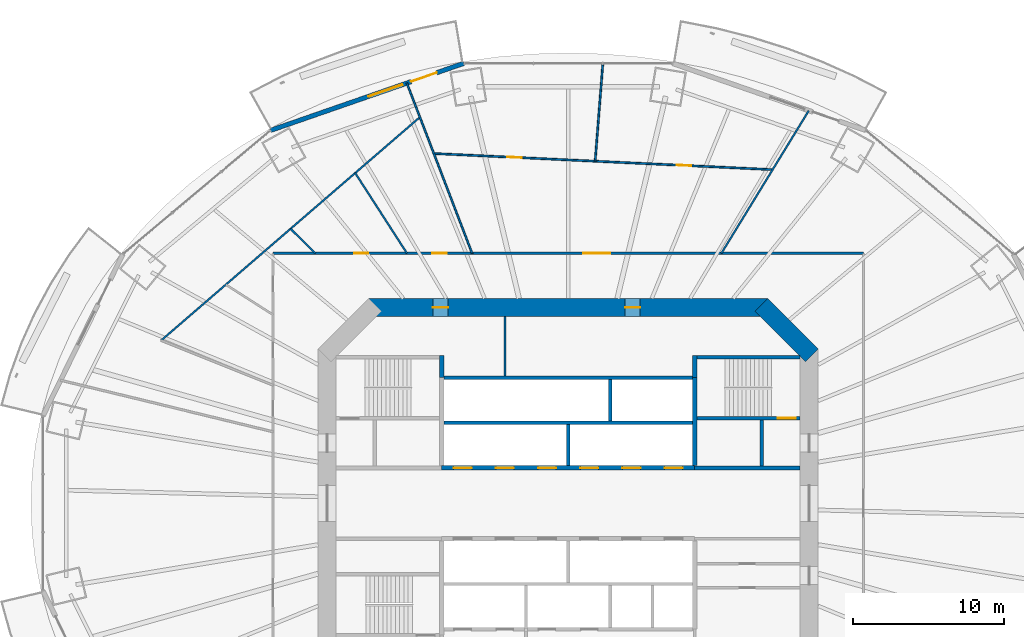
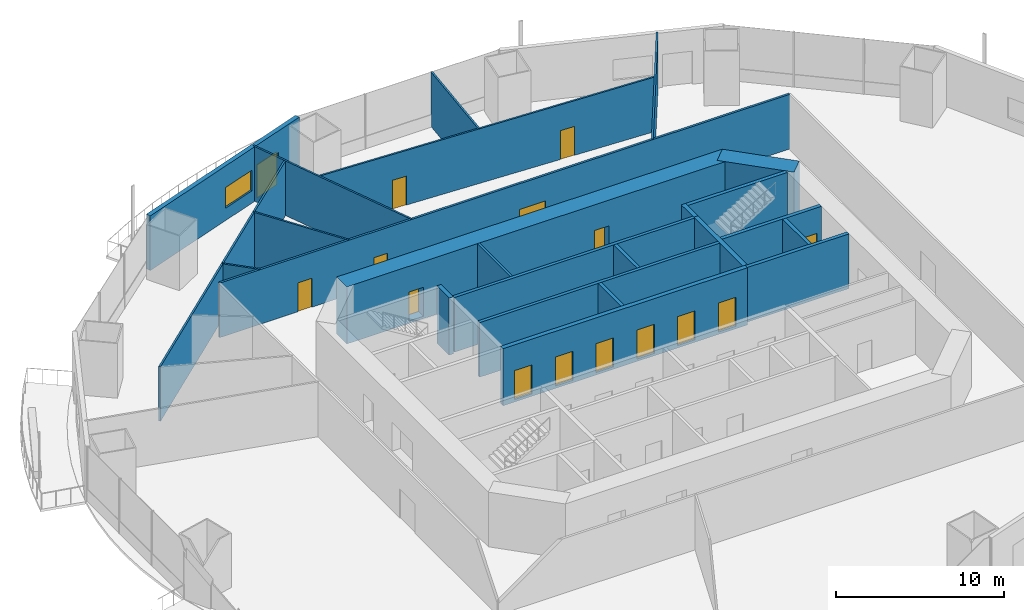
# One storey, part 15 of 22: 24 walls, 15 doors, 1 window, 16 openings.
"""IFC4 building model written with IfcOpenShell, lengths in metres."""

from ifc_helpers import new_model, si_unit, direction, frame, frame_2d, origin, place, context, subcontext, project, spatial, rectangle, extrude, material, layer, layer_set, type_object, element, fill, save


model = new_model("IFC4")

# Units and contexts
model_context = context("Model", 3, precision=1e-05, world=origin(), true_north=direction((0.0, 1.0)))
body_context = subcontext(model_context, "Body", "Model", "MODEL_VIEW")
ifc_project = project(units=[si_unit("LENGTHUNIT", "METRE"), si_unit("AREAUNIT", "SQUARE_METRE"), si_unit("VOLUMEUNIT", "CUBIC_METRE"), si_unit("PLANEANGLEUNIT", "RADIAN"), si_unit("MASSUNIT", "GRAM", prefix="KILO")], contexts=[model_context])

# Site, building, storey
site_placement = place(None, origin())
site = spatial("IfcSite", under=ifc_project, at=site_placement, CompositionType="ELEMENT")
building_placement = place(site_placement, origin())
building = spatial("IfcBuilding", under=site, at=building_placement, Name="Marenthal Gate Tower", CompositionType="ELEMENT")
storey_placement = place(building_placement, frame((0.0, 0.0, 78.64990234375)))
storey = spatial("IfcBuildingStorey", under=building, at=storey_placement, Name="L15", CompositionType="ELEMENT", Elevation=78.64990234375)

# Wall
ifc_material_1 = material(Name="Concrete 60 MPa", Category="concrete")
ifc_layer_1 = layer(ifc_material_1, 1.199951171875)
ifc_layer_set_1 = layer_set([ifc_layer_1], Name="Core shear wall 1200")
wall_type_1 = type_object("IfcWallType", Name="Core shear wall 1200", PredefinedType="SHEAR", material=ifc_layer_set_1)
wall_1_placement = place(storey_placement, frame((16.17578125, 9.82421875, -0.179931640625), z_axis=(0.0, 0.0, 1.0), x_axis=(-0.707106781187, 0.707106781187, 0.0)))
element("IfcWall", 1, at=wall_1_placement, inside=storey, type_object=wall_type_1, Name="Core wall 03", PredefinedType="SHEAR", context=body_context, shape_type="SweptSolid", body=[
    extrude(rectangle(XDim=4.73974609375, YDim=1.199951171875, at=frame_2d((2.369873046875, 0.0))), origin(), (0.0, 0.0, 1.0), 4.150146484375),
])

# Wall, openings, doors
wall_2_placement = place(storey_placement, frame((13.24853515625, 13.0, -0.179931640625), z_axis=(0.0, 0.0, 1.0), x_axis=(-1.0, 0.0, 0.0)))
wall_2 = element("IfcWall", 2, at=wall_2_placement, inside=storey, type_object=wall_type_1, Name="Core wall 04", PredefinedType="SHEAR", context=body_context, shape_type="SweptSolid", body=[
    extrude(rectangle(XDim=26.4970703125, YDim=1.199951171875, at=frame_2d((13.24853515625, 0.0))), origin(), (0.0, 0.0, 1.0), 4.150146484375),
])
opening_1_placement = place(wall_2_placement, frame((21.224609375, 0.0, 0.179931640625)))
opening_1 = element("IfcOpeningElement", 3, at=opening_1_placement, cuts=wall_2, Name="Opening D005.01", PredefinedType="OPENING", context=body_context, shape_type="SweptSolid", body=[
    extrude(rectangle(XDim=1.0, YDim=2.10009765625, at=frame_2d((0.5, 1.050048828125))), frame((0.0, 0.60986328125, 0.0), z_axis=(0.0, -1.0, 0.0), x_axis=(1.0, 0.0, 0.0)), (0.0, 0.0, 1.0), 1.219970703125),
])
opening_2_placement = place(wall_2_placement, frame((8.472412109375, 0.0, 0.179931640625)))
opening_2 = element("IfcOpeningElement", 4, at=opening_2_placement, cuts=wall_2, Name="Opening D005.02", PredefinedType="OPENING", context=body_context, shape_type="SweptSolid", body=[
    extrude(rectangle(XDim=1.0, YDim=2.10009765625, at=frame_2d((0.5, 1.050048828125))), frame((0.0, 0.60986328125, 0.0), z_axis=(0.0, -1.0, 0.0), x_axis=(1.0, 0.0, 0.0)), (0.0, 0.0, 1.0), 1.219970703125),
])
ifc_material_2 = material(Name="Steel fire door", Category="steel")
door_type_1 = type_object("IfcDoorType", Name="Fire door FD 45 1000 x 2100", OperationType="NOTDEFINED", PredefinedType="DOOR", material=ifc_material_2)
door_1_placement = place(opening_1_placement, origin())
door_1 = element("IfcDoor", 5, at=door_1_placement, inside=storey, type_object=door_type_1, Name="Door D005.01", OperationType="SINGLE_SWING_RIGHT", OverallHeight=2.10009765625, OverallWidth=1.0, PredefinedType="DOOR", context=body_context, shape_type="SweptSolid", body=[
    extrude(rectangle(XDim=1.0, YDim=2.10009765625, at=frame_2d((0.5, 1.050048828125))), frame((0.0, 0.02490234375, 0.0), z_axis=(0.0, -1.0, 0.0), x_axis=(1.0, 0.0, 0.0)), (0.0, 0.0, 1.0), 0.050048828125),
])
fill(opening_1, door_1)
door_2_placement = place(opening_2_placement, origin())
door_2 = element("IfcDoor", 6, at=door_2_placement, inside=storey, type_object=door_type_1, Name="Door D005.02", OperationType="SINGLE_SWING_RIGHT", OverallHeight=2.10009765625, OverallWidth=1.0, PredefinedType="DOOR", context=body_context, shape_type="SweptSolid", body=[
    extrude(rectangle(XDim=1.0, YDim=2.10009765625, at=frame_2d((0.5, 1.050048828125))), frame((0.0, 0.02490234375, 0.0), z_axis=(0.0, -1.0, 0.0), x_axis=(1.0, 0.0, 0.0)), (0.0, 0.0, 1.0), 0.050048828125),
])
fill(opening_2, door_2)

ifc_material_3 = material(Name="Concrete 50 MPa", Category="concrete")
ifc_layer_2 = layer(ifc_material_3, 0.300048828125)
ifc_layer_set_2 = layer_set([ifc_layer_2], Name="Hoistway shear wall 300")
wall_type_2 = type_object("IfcWallType", Name="Hoistway shear wall 300", PredefinedType="SHEAR", material=ifc_layer_set_2)
wall_3_placement = place(storey_placement, frame((-8.39990234375, 2.35009765625, -0.179931640625), z_axis=(0.0, 0.0, 1.0), x_axis=(1.0, 0.0, 0.0)))
wall_3 = element("IfcWall", 7, at=wall_3_placement, inside=storey, type_object=wall_type_2, Name="Hoistway wall 20", PredefinedType="SHEAR", context=body_context, shape_type="SweptSolid", body=[
    extrude(rectangle(XDim=16.7998046875, YDim=0.300048828125, at=frame_2d((8.39990234375, 0.0))), origin(), (0.0, 0.0, 1.0), 4.150146484375),
])
opening_3_placement = place(wall_3_placement, frame((0.800048828125, 0.0, 0.179931640625)))
opening_3 = element("IfcOpeningElement", 8, at=opening_3_placement, cuts=wall_3, Name="Opening LD-LP1", PredefinedType="OPENING", context=body_context, shape_type="SweptSolid", body=[
    extrude(rectangle(XDim=1.199951171875, YDim=2.10009765625, at=frame_2d((0.60009765625, 1.050048828125))), frame((0.0, 0.16015625, 0.0), z_axis=(0.0, -1.0, 0.0), x_axis=(1.0, 0.0, 0.0)), (0.0, 0.0, 1.0), 0.320068359375),
])
opening_4_placement = place(wall_3_placement, frame((3.60009765625, 0.0, 0.179931640625)))
opening_4 = element("IfcOpeningElement", 9, at=opening_4_placement, cuts=wall_3, Name="Opening LD-LP2", PredefinedType="OPENING", context=body_context, shape_type="SweptSolid", body=[
    extrude(rectangle(XDim=1.199951171875, YDim=2.10009765625, at=frame_2d((0.60009765625, 1.050048828125))), frame((0.0, 0.16015625, 0.0), z_axis=(0.0, -1.0, 0.0), x_axis=(1.0, 0.0, 0.0)), (0.0, 0.0, 1.0), 0.320068359375),
])
opening_5_placement = place(wall_3_placement, frame((6.39990234375, 0.0, 0.179931640625)))
opening_5 = element("IfcOpeningElement", 10, at=opening_5_placement, cuts=wall_3, Name="Opening LD-LP3", PredefinedType="OPENING", context=body_context, shape_type="SweptSolid", body=[
    extrude(rectangle(XDim=1.199951171875, YDim=2.10009765625, at=frame_2d((0.60009765625, 1.050048828125))), frame((0.0, 0.16015625, 0.0), z_axis=(0.0, -1.0, 0.0), x_axis=(1.0, 0.0, 0.0)), (0.0, 0.0, 1.0), 0.320068359375),
])
opening_6_placement = place(wall_3_placement, frame((9.199951171875, 0.0, 0.179931640625)))
opening_6 = element("IfcOpeningElement", 11, at=opening_6_placement, cuts=wall_3, Name="Opening LD-LP4", PredefinedType="OPENING", context=body_context, shape_type="SweptSolid", body=[
    extrude(rectangle(XDim=1.199951171875, YDim=2.10009765625, at=frame_2d((0.60009765625, 1.050048828125))), frame((0.0, 0.16015625, 0.0), z_axis=(0.0, -1.0, 0.0), x_axis=(1.0, 0.0, 0.0)), (0.0, 0.0, 1.0), 0.320068359375),
])
opening_7_placement = place(wall_3_placement, frame((12.0, 0.0, 0.179931640625)))
opening_7 = element("IfcOpeningElement", 12, at=opening_7_placement, cuts=wall_3, Name="Opening LD-LP5", PredefinedType="OPENING", context=body_context, shape_type="SweptSolid", body=[
    extrude(rectangle(XDim=1.199951171875, YDim=2.10009765625, at=frame_2d((0.60009765625, 1.050048828125))), frame((0.0, 0.16015625, 0.0), z_axis=(0.0, -1.0, 0.0), x_axis=(1.0, 0.0, 0.0)), (0.0, 0.0, 1.0), 0.320068359375),
])
opening_8_placement = place(wall_3_placement, frame((14.800048828125, 0.0, 0.179931640625)))
opening_8 = element("IfcOpeningElement", 13, at=opening_8_placement, cuts=wall_3, Name="Opening LD-LP6", PredefinedType="OPENING", context=body_context, shape_type="SweptSolid", body=[
    extrude(rectangle(XDim=1.199951171875, YDim=2.10009765625, at=frame_2d((0.60009765625, 1.050048828125))), frame((0.0, 0.16015625, 0.0), z_axis=(0.0, -1.0, 0.0), x_axis=(1.0, 0.0, 0.0)), (0.0, 0.0, 1.0), 0.320068359375),
])
ifc_material_4 = material(Name="Stainless steel sliding door", Category="steel")
door_type_2 = type_object("IfcDoorType", Name="Lift landing door FD 90 1200 x 2100", OperationType="DOUBLE_DOOR_SLIDING", PredefinedType="DOOR", material=ifc_material_4)
door_3_placement = place(opening_3_placement, origin())
door_3 = element("IfcDoor", 14, at=door_3_placement, inside=storey, type_object=door_type_2, Name="Lift landing door LP1", OperationType="DOUBLE_DOOR_SLIDING", OverallHeight=2.10009765625, OverallWidth=1.199951171875, PredefinedType="DOOR", context=body_context, shape_type="SweptSolid", body=[
    extrude(rectangle(XDim=1.199951171875, YDim=2.10009765625, at=frame_2d((0.60009765625, 1.050048828125))), frame((0.0, 0.02490234375, 0.0), z_axis=(0.0, -1.0, 0.0), x_axis=(1.0, 0.0, 0.0)), (0.0, 0.0, 1.0), 0.050048828125),
])
fill(opening_3, door_3)
door_4_placement = place(opening_4_placement, origin())
door_4 = element("IfcDoor", 15, at=door_4_placement, inside=storey, type_object=door_type_2, Name="Lift landing door LP2", OperationType="DOUBLE_DOOR_SLIDING", OverallHeight=2.10009765625, OverallWidth=1.199951171875, PredefinedType="DOOR", context=body_context, shape_type="SweptSolid", body=[
    extrude(rectangle(XDim=1.199951171875, YDim=2.10009765625, at=frame_2d((0.60009765625, 1.050048828125))), frame((0.0, 0.02490234375, 0.0), z_axis=(0.0, -1.0, 0.0), x_axis=(1.0, 0.0, 0.0)), (0.0, 0.0, 1.0), 0.050048828125),
])
fill(opening_4, door_4)
door_5_placement = place(opening_5_placement, origin())
door_5 = element("IfcDoor", 16, at=door_5_placement, inside=storey, type_object=door_type_2, Name="Lift landing door LP3", OperationType="DOUBLE_DOOR_SLIDING", OverallHeight=2.10009765625, OverallWidth=1.199951171875, PredefinedType="DOOR", context=body_context, shape_type="SweptSolid", body=[
    extrude(rectangle(XDim=1.199951171875, YDim=2.10009765625, at=frame_2d((0.60009765625, 1.050048828125))), frame((0.0, 0.02490234375, 0.0), z_axis=(0.0, -1.0, 0.0), x_axis=(1.0, 0.0, 0.0)), (0.0, 0.0, 1.0), 0.050048828125),
])
fill(opening_5, door_5)
door_6_placement = place(opening_6_placement, origin())
door_6 = element("IfcDoor", 17, at=door_6_placement, inside=storey, type_object=door_type_2, Name="Lift landing door LP4", OperationType="DOUBLE_DOOR_SLIDING", OverallHeight=2.10009765625, OverallWidth=1.199951171875, PredefinedType="DOOR", context=body_context, shape_type="SweptSolid", body=[
    extrude(rectangle(XDim=1.199951171875, YDim=2.10009765625, at=frame_2d((0.60009765625, 1.050048828125))), frame((0.0, 0.02490234375, 0.0), z_axis=(0.0, -1.0, 0.0), x_axis=(1.0, 0.0, 0.0)), (0.0, 0.0, 1.0), 0.050048828125),
])
fill(opening_6, door_6)
door_7_placement = place(opening_7_placement, origin())
door_7 = element("IfcDoor", 18, at=door_7_placement, inside=storey, type_object=door_type_2, Name="Lift landing door LP5", OperationType="DOUBLE_DOOR_SLIDING", OverallHeight=2.10009765625, OverallWidth=1.199951171875, PredefinedType="DOOR", context=body_context, shape_type="SweptSolid", body=[
    extrude(rectangle(XDim=1.199951171875, YDim=2.10009765625, at=frame_2d((0.60009765625, 1.050048828125))), frame((0.0, 0.02490234375, 0.0), z_axis=(0.0, -1.0, 0.0), x_axis=(1.0, 0.0, 0.0)), (0.0, 0.0, 1.0), 0.050048828125),
])
fill(opening_7, door_7)
door_8_placement = place(opening_8_placement, origin())
door_8 = element("IfcDoor", 19, at=door_8_placement, inside=storey, type_object=door_type_2, Name="Lift landing door LP6", OperationType="DOUBLE_DOOR_SLIDING", OverallHeight=2.10009765625, OverallWidth=1.199951171875, PredefinedType="DOOR", context=body_context, shape_type="SweptSolid", body=[
    extrude(rectangle(XDim=1.199951171875, YDim=2.10009765625, at=frame_2d((0.60009765625, 1.050048828125))), frame((0.0, 0.02490234375, 0.0), z_axis=(0.0, -1.0, 0.0), x_axis=(1.0, 0.0, 0.0)), (0.0, 0.0, 1.0), 0.050048828125),
])
fill(opening_8, door_8)

# Walls
wall_4_placement = place(storey_placement, frame((8.39990234375, 2.5, -0.179931640625), z_axis=(0.0, 0.0, 1.0), x_axis=(0.0, 1.0, 0.0)))
element("IfcWall", 20, at=wall_4_placement, inside=storey, type_object=wall_type_2, Name="Hoistway wall 44", PredefinedType="SHEAR", context=body_context, shape_type="SweptSolid", body=[
    extrude(rectangle(XDim=5.85009765625, YDim=0.300048828125, at=frame_2d((2.925048828125, 0.0))), origin(), (0.0, 0.0, 1.0), 4.150146484375),
])
ifc_material_5 = material(Name="Concrete 40 MPa", Category="concrete")
ifc_layer_3 = layer(ifc_material_5, 0.219970703125)
ifc_layer_set_3 = layer_set([ifc_layer_3], Name="Hoistway wall 220")
wall_type_3 = type_object("IfcWallType", Name="Hoistway wall 220", PredefinedType="STANDARD", material=ifc_layer_set_3)
for number, where, z_axis, x_axis, name in (
    (21, (-8.25, 5.35009765625, 0.0), (0.0, 0.0, 1.0), (1.0, 0.0, 0.0), "Hoistway wall 22"),
    (22, (-8.25, 8.35009765625, 0.0), (0.0, 0.0, 1.0), (1.0, 0.0, 0.0), "Hoistway wall 25"),
):
    element("IfcWall", number, at=place(storey_placement, frame(where, z_axis=z_axis, x_axis=x_axis)), inside=storey, type_object=wall_type_3, Name=name, PredefinedType="STANDARD", context=body_context, shape_type="SweptSolid", body=[
        extrude(rectangle(XDim=16.5, YDim=0.219970703125, at=frame_2d((8.25, 0.0))), origin(), (0.0, 0.0, 1.0), 3.97021484375),
    ])
wall_5_placement = place(storey_placement, frame((0.0, 2.5, 0.0), z_axis=(0.0, 0.0, 1.0), x_axis=(0.0, 1.0, 0.0)))
element("IfcWall", 23, at=wall_5_placement, inside=storey, type_object=wall_type_3, Name="Hoistway wall 38", PredefinedType="STANDARD", context=body_context, shape_type="SweptSolid", body=[
    extrude(rectangle(XDim=2.739990234375, YDim=0.219970703125, at=frame_2d((1.3701171875, 0.0))), origin(), (0.0, 0.0, 1.0), 3.97021484375),
])
wall_6_placement = place(storey_placement, frame((2.800048828125, 5.4599609375, 0.0), z_axis=(0.0, 0.0, 1.0), x_axis=(0.0, 1.0, 0.0)))
element("IfcWall", 24, at=wall_6_placement, inside=storey, type_object=wall_type_3, Name="Hoistway wall 40", PredefinedType="STANDARD", context=body_context, shape_type="SweptSolid", body=[
    extrude(rectangle(XDim=2.780029296875, YDim=0.219970703125, at=frame_2d((1.39013671875, 0.0))), origin(), (0.0, 0.0, 1.0), 3.97021484375),
])
ifc_material_6 = material(Name="Gypsum board on steel studs", Category="steel")
ifc_layer_4 = layer(ifc_material_6, 0.1201171875)
ifc_layer_set_4 = layer_set([ifc_layer_4], Name="Partition 120")
wall_type_4 = type_object("IfcWallType", Name="Partition 120", PredefinedType="PARTITIONING", material=ifc_layer_set_4)
wall_7_placement = place(storey_placement, frame((-18.4345703125, 18.22900390625, 0.0), z_axis=(0.0, 0.0, 1.0), x_axis=(0.711099857719, -0.703091027074, 0.0)))
element("IfcWall", 25, at=wall_7_placement, inside=storey, type_object=wall_type_4, Name="Partition wall 52", PredefinedType="PARTITIONING", context=body_context, shape_type="SweptSolid", body=[
    extrude(rectangle(XDim=2.31689453125, YDim=0.1201171875, at=frame_2d((1.158447265625, 0.0))), origin(), (0.0, 0.0, 1.0), 3.97021484375),
])
wall_8_placement = place(storey_placement, frame((-14.140625, 21.93408203125, 0.0), z_axis=(0.0, 0.0, 1.0), x_axis=(0.541842063077, -0.840480326171, 0.0)))
element("IfcWall", 26, at=wall_8_placement, inside=storey, type_object=wall_type_4, Name="Partition wall 53", PredefinedType="PARTITIONING", context=body_context, shape_type="SweptSolid", body=[
    extrude(rectangle(XDim=6.346435546875, YDim=0.1201171875, at=frame_2d((3.17333984375, 0.0))), origin(), (0.0, 0.0, 1.0), 3.97021484375),
])
wall_9_placement = place(storey_placement, frame((-9.8466796875, 25.639404296875, 0.0), z_axis=(0.0, 0.0, 1.0), x_axis=(-0.757112580358, -0.653284425548, 0.0)))
element("IfcWall", 27, at=wall_9_placement, inside=storey, type_object=wall_type_4, Name="Partition wall 54", PredefinedType="PARTITIONING", context=body_context, shape_type="SweptSolid", body=[
    extrude(rectangle(XDim=22.686279296875, YDim=0.1201171875, at=frame_2d((11.34326171875, 0.0))), origin(), (0.0, 0.0, 1.0), 3.97021484375),
])
wall_10_placement = place(storey_placement, frame((-6.375, 16.60009765625, 0.0), z_axis=(0.0, 0.0, 1.0), x_axis=(-0.358534397195, 0.933516516205, 0.0)))
element("IfcWall", 28, at=wall_10_placement, inside=storey, type_object=wall_type_4, Name="Partition wall 55", PredefinedType="PARTITIONING", context=body_context, shape_type="SweptSolid", body=[
    extrude(rectangle(XDim=12.10498046875, YDim=0.1201171875, at=frame_2d((6.052490234375, 0.0))), origin(), (0.0, 0.0, 1.0), 3.97021484375),
])
wall_11_placement = place(storey_placement, frame((2.302001953125, 29.211669921875, 0.0), z_axis=(0.0, 0.0, 1.0), x_axis=(-0.078544698075, -0.996910592984, 0.0)))
element("IfcWall", 29, at=wall_11_placement, inside=storey, type_object=wall_type_4, Name="Partition wall 57", PredefinedType="PARTITIONING", context=body_context, shape_type="SweptSolid", body=[
    extrude(rectangle(XDim=6.514892578125, YDim=0.1201171875, at=frame_2d((3.25732421875, 0.0))), origin(), (0.0, 0.0, 1.0), 3.97021484375),
])
wall_12_placement = place(storey_placement, frame((10.168701171875, 16.60009765625, 0.0), z_axis=(0.0, 0.0, 1.0), x_axis=(0.522354417251, 0.852728481276, 0.0)))
element("IfcWall", 30, at=wall_12_placement, inside=storey, type_object=wall_type_4, Name="Partition wall 58", PredefinedType="PARTITIONING", context=body_context, shape_type="SweptSolid", body=[
    extrude(rectangle(XDim=11.112060546875, YDim=0.1201171875, at=frame_2d((5.55615234375, 0.0))), origin(), (0.0, 0.0, 1.0), 3.97021484375),
])

# Wall, openings, doors
wall_13_placement = place(storey_placement, frame((13.572265625, 22.15625, 0.0), z_axis=(0.0, 0.0, 1.0), x_axis=(-0.998870221803, 0.047521363561, 0.0)))
wall_13 = element("IfcWall", 31, at=wall_13_placement, inside=storey, type_object=wall_type_4, Name="Partition wall 59", PredefinedType="PARTITIONING", context=body_context, shape_type="SweptSolid", body=[
    extrude(rectangle(XDim=22.517578125, YDim=0.1201171875, at=frame_2d((11.2587890625, 0.0))), origin(), (0.0, 0.0, 1.0), 3.97021484375),
])
opening_9_placement = place(wall_13_placement, frame((5.423095703125, 0.0, 0.0)))
opening_9 = element("IfcOpeningElement", 32, at=opening_9_placement, cuts=wall_13, Name="Opening D016.01", PredefinedType="OPENING", context=body_context, shape_type="SweptSolid", body=[
    extrude(rectangle(XDim=0.949951171875, YDim=2.10009765625, at=frame_2d((0.47509765625, 1.050048828125))), frame((0.0, 0.070068359375, 0.0), z_axis=(0.0, -1.0, 0.0), x_axis=(1.0, 0.0, 0.0)), (0.0, 0.0, 1.0), 0.14013671875),
])
opening_10_placement = place(wall_13_placement, frame((16.681884765625, 0.0, 0.0)))
opening_10 = element("IfcOpeningElement", 33, at=opening_10_placement, cuts=wall_13, Name="Opening D016.02", PredefinedType="OPENING", context=body_context, shape_type="SweptSolid", body=[
    extrude(rectangle(XDim=0.949951171875, YDim=2.10009765625, at=frame_2d((0.47509765625, 1.050048828125))), frame((0.0, 0.070068359375, 0.0), z_axis=(0.0, -1.0, 0.0), x_axis=(1.0, 0.0, 0.0)), (0.0, 0.0, 1.0), 0.14013671875),
])
ifc_material_7 = material(Name="Timber door", Category="wood")
door_type_3 = type_object("IfcDoorType", Name="Door 950 x 2100", OperationType="NOTDEFINED", PredefinedType="DOOR", material=ifc_material_7)
door_9_placement = place(opening_9_placement, frame((0.949951171875, 0.0, 0.0), z_axis=(0.0, 0.0, 1.0), x_axis=(-1.0, 0.0, 0.0)))
door_9 = element("IfcDoor", 34, at=door_9_placement, inside=storey, type_object=door_type_3, Name="Door D016.01", OperationType="SINGLE_SWING_LEFT", OverallHeight=2.10009765625, OverallWidth=0.949951171875, PredefinedType="DOOR", context=body_context, shape_type="SweptSolid", body=[
    extrude(rectangle(XDim=0.949951171875, YDim=2.10009765625, at=frame_2d((0.47509765625, 1.050048828125))), frame((0.0, 0.02490234375, 0.0), z_axis=(0.0, -1.0, 0.0), x_axis=(1.0, 0.0, 0.0)), (0.0, 0.0, 1.0), 0.050048828125),
])
fill(opening_9, door_9)
door_10_placement = place(opening_10_placement, frame((0.949951171875, 0.0, 0.0), z_axis=(0.0, 0.0, 1.0), x_axis=(-1.0, 0.0, 0.0)))
door_10 = element("IfcDoor", 35, at=door_10_placement, inside=storey, type_object=door_type_3, Name="Door D016.02", OperationType="SINGLE_SWING_LEFT", OverallHeight=2.10009765625, OverallWidth=0.949951171875, PredefinedType="DOOR", context=body_context, shape_type="SweptSolid", body=[
    extrude(rectangle(XDim=0.949951171875, YDim=2.10009765625, at=frame_2d((0.47509765625, 1.050048828125))), frame((0.0, 0.02490234375, 0.0), z_axis=(0.0, -1.0, 0.0), x_axis=(1.0, 0.0, 0.0)), (0.0, 0.0, 1.0), 0.050048828125),
])
fill(opening_10, door_10)

# Wall
ifc_material_8 = material(Name="Gypsum board on steel studs", Category="steel")
ifc_layer_5 = layer(ifc_material_8, 0.14990234375)
ifc_layer_set_5 = layer_set([ifc_layer_5], Name="Partition 150")
wall_type_5 = type_object("IfcWallType", Name="Partition 150", PredefinedType="PARTITIONING", material=ifc_layer_set_5)
wall_14_placement = place(storey_placement, frame((-4.199951171875, 8.4599609375, 0.0), z_axis=(0.0, 0.0, 1.0), x_axis=(0.0, 1.0, 0.0)))
element("IfcWall", 36, at=wall_14_placement, inside=storey, type_object=wall_type_5, Name="Partition wall 34", PredefinedType="PARTITIONING", context=body_context, shape_type="SweptSolid", body=[
    extrude(rectangle(XDim=3.93994140625, YDim=0.14990234375, at=frame_2d((1.969970703125, 0.0))), origin(), (0.0, 0.0, 1.0), 3.97021484375),
])

# Wall, openings, doors
wall_15_placement = place(storey_placement, frame((-19.60009765625, 16.60009765625, 0.0), z_axis=(0.0, 0.0, 1.0), x_axis=(1.0, 0.0, 0.0)))
wall_15 = element("IfcWall", 37, at=wall_15_placement, inside=storey, type_object=wall_type_5, Name="Partition wall 51", PredefinedType="PARTITIONING", context=body_context, shape_type="SweptSolid", body=[
    extrude(rectangle(XDim=39.2001953125, YDim=0.14990234375, at=frame_2d((19.60009765625, 0.0))), origin(), (0.0, 0.0, 1.0), 3.97021484375),
])
opening_11_placement = place(wall_15_placement, frame((20.596923828125, 0.0, 0.0)))
opening_11 = element("IfcOpeningElement", 38, at=opening_11_placement, cuts=wall_15, Name="Opening D014.01", PredefinedType="OPENING", context=body_context, shape_type="SweptSolid", body=[
    extrude(rectangle(XDim=1.800048828125, YDim=2.10009765625, at=frame_2d((0.89990234375, 1.050048828125))), frame((0.0, 0.0849609375, 0.0), z_axis=(0.0, -1.0, 0.0), x_axis=(1.0, 0.0, 0.0)), (0.0, 0.0, 1.0), 0.169921875),
])
opening_12_placement = place(wall_15_placement, frame((10.5869140625, 0.0, 0.0)))
opening_12 = element("IfcOpeningElement", 39, at=opening_12_placement, cuts=wall_15, Name="Opening D016.03", PredefinedType="OPENING", context=body_context, shape_type="SweptSolid", body=[
    extrude(rectangle(XDim=0.949951171875, YDim=2.10009765625, at=frame_2d((0.47509765625, 1.050048828125))), frame((0.0, 0.0849609375, 0.0), z_axis=(0.0, -1.0, 0.0), x_axis=(1.0, 0.0, 0.0)), (0.0, 0.0, 1.0), 0.169921875),
])
opening_13_placement = place(wall_15_placement, frame((5.381103515625, 0.0, 0.0)))
opening_13 = element("IfcOpeningElement", 40, at=opening_13_placement, cuts=wall_15, Name="Opening D016.04", PredefinedType="OPENING", context=body_context, shape_type="SweptSolid", body=[
    extrude(rectangle(XDim=0.949951171875, YDim=2.10009765625, at=frame_2d((0.47509765625, 1.050048828125))), frame((0.0, 0.0849609375, 0.0), z_axis=(0.0, -1.0, 0.0), x_axis=(1.0, 0.0, 0.0)), (0.0, 0.0, 1.0), 0.169921875),
])
door_11_placement = place(opening_12_placement, origin())
door_11 = element("IfcDoor", 41, at=door_11_placement, inside=storey, type_object=door_type_3, Name="Door D016.03", OperationType="SINGLE_SWING_RIGHT", OverallHeight=2.10009765625, OverallWidth=0.949951171875, PredefinedType="DOOR", context=body_context, shape_type="SweptSolid", body=[
    extrude(rectangle(XDim=0.949951171875, YDim=2.10009765625, at=frame_2d((0.47509765625, 1.050048828125))), frame((0.0, 0.02490234375, 0.0), z_axis=(0.0, -1.0, 0.0), x_axis=(1.0, 0.0, 0.0)), (0.0, 0.0, 1.0), 0.050048828125),
])
fill(opening_12, door_11)
door_12_placement = place(opening_13_placement, origin())
door_12 = element("IfcDoor", 42, at=door_12_placement, inside=storey, type_object=door_type_3, Name="Door D016.04", OperationType="SINGLE_SWING_RIGHT", OverallHeight=2.10009765625, OverallWidth=0.949951171875, PredefinedType="DOOR", context=body_context, shape_type="SweptSolid", body=[
    extrude(rectangle(XDim=0.949951171875, YDim=2.10009765625, at=frame_2d((0.47509765625, 1.050048828125))), frame((0.0, 0.02490234375, 0.0), z_axis=(0.0, -1.0, 0.0), x_axis=(1.0, 0.0, 0.0)), (0.0, 0.0, 1.0), 0.050048828125),
])
fill(opening_13, door_12)
ifc_material_9 = material(Name="Timber door", Category="wood")
door_type_4 = type_object("IfcDoorType", Name="Double door 1800 x 2100", OperationType="DOUBLE_DOOR_SINGLE_SWING", PredefinedType="DOOR", material=ifc_material_9)
door_13_placement = place(opening_11_placement, origin())
door_13 = element("IfcDoor", 43, at=door_13_placement, inside=storey, type_object=door_type_4, Name="Door D014.01", OperationType="DOUBLE_DOOR_SINGLE_SWING", OverallHeight=2.10009765625, OverallWidth=1.800048828125, PredefinedType="DOOR", context=body_context, shape_type="SweptSolid", body=[
    extrude(rectangle(XDim=1.800048828125, YDim=2.10009765625, at=frame_2d((0.89990234375, 1.050048828125))), frame((0.0, 0.02490234375, 0.0), z_axis=(0.0, -1.0, 0.0), x_axis=(1.0, 0.0, 0.0)), (0.0, 0.0, 1.0), 0.050048828125),
])
fill(opening_11, door_13)

# Walls
ifc_material_10 = material(Name="Concrete 40 MPa", Category="concrete")
ifc_layer_6 = layer(ifc_material_10, 0.25)
ifc_layer_set_6 = layer_set([ifc_layer_6], Name="Stair enclosure wall 250")
wall_type_6 = type_object("IfcWallType", Name="Stair enclosure wall 250", PredefinedType="STANDARD", material=ifc_layer_set_6)
wall_16_placement = place(storey_placement, frame((8.39990234375, 2.35009765625, 0.0), z_axis=(0.0, 0.0, 1.0), x_axis=(1.0, 0.0, 0.0)))
element("IfcWall", 44, at=wall_16_placement, inside=storey, type_object=wall_type_6, Name="Stair wall 21", PredefinedType="STANDARD", context=body_context, shape_type="SweptSolid", body=[
    extrude(rectangle(XDim=7.0, YDim=0.25, at=frame_2d((3.5, 0.0))), origin(), (0.0, 0.0, 1.0), 3.97021484375),
])
wall_17_placement = place(storey_placement, frame((12.85009765625, 2.47509765625, 0.0), z_axis=(0.0, 0.0, 1.0), x_axis=(0.0, 1.0, 0.0)))
element("IfcWall", 45, at=wall_17_placement, inside=storey, type_object=wall_type_6, Name="Stair wall 46", PredefinedType="STANDARD", context=body_context, shape_type="SweptSolid", body=[
    extrude(rectangle(XDim=3.0498046875, YDim=0.25, at=frame_2d((1.52490234375, 0.0))), origin(), (0.0, 0.0, 1.0), 3.97021484375),
])

# Wall, opening, door
ifc_material_11 = material(Name="Concrete 50 MPa", Category="concrete")
ifc_layer_7 = layer(ifc_material_11, 0.25)
ifc_layer_set_7 = layer_set([ifc_layer_7], Name="Stair shear wall 250")
wall_type_7 = type_object("IfcWallType", Name="Stair shear wall 250", PredefinedType="SHEAR", material=ifc_layer_set_7)
wall_18_placement = place(storey_placement, frame((8.550048828125, 5.64990234375, -0.179931640625), z_axis=(0.0, 0.0, 1.0), x_axis=(1.0, 0.0, 0.0)))
wall_18 = element("IfcWall", 46, at=wall_18_placement, inside=storey, type_object=wall_type_7, Name="Stair wall 24", PredefinedType="SHEAR", context=body_context, shape_type="SweptSolid", body=[
    extrude(rectangle(XDim=6.849853515625, YDim=0.25, at=frame_2d((3.4248046875, 0.0))), origin(), (0.0, 0.0, 1.0), 4.150146484375),
])
opening_14_placement = place(wall_18_placement, frame((5.35009765625, 0.0, 0.179931640625)))
opening_14 = element("IfcOpeningElement", 47, at=opening_14_placement, cuts=wall_18, Name="Opening D001.02", PredefinedType="OPENING", context=body_context, shape_type="SweptSolid", body=[
    extrude(rectangle(XDim=1.199951171875, YDim=2.10009765625, at=frame_2d((0.60009765625, 1.050048828125))), frame((0.0, 0.135009765625, 0.0), z_axis=(0.0, -1.0, 0.0), x_axis=(1.0, 0.0, 0.0)), (0.0, 0.0, 1.0), 0.27001953125),
])
ifc_material_12 = material(Name="Steel fire door", Category="steel")
door_type_5 = type_object("IfcDoorType", Name="Fire door FD 90 1200 x 2100", OperationType="NOTDEFINED", PredefinedType="DOOR", material=ifc_material_12)
door_14_placement = place(opening_14_placement, origin())
door_14 = element("IfcDoor", 48, at=door_14_placement, inside=storey, type_object=door_type_5, Name="Door D001.02", OperationType="SINGLE_SWING_RIGHT", OverallHeight=2.10009765625, OverallWidth=1.199951171875, PredefinedType="DOOR", context=body_context, shape_type="SweptSolid", body=[
    extrude(rectangle(XDim=1.199951171875, YDim=2.10009765625, at=frame_2d((0.60009765625, 1.050048828125))), frame((0.0, 0.02490234375, 0.0), z_axis=(0.0, -1.0, 0.0), x_axis=(1.0, 0.0, 0.0)), (0.0, 0.0, 1.0), 0.050048828125),
])
fill(opening_14, door_14)

# Walls
wall_19_placement = place(storey_placement, frame((8.550048828125, 9.699951171875, -0.179931640625), z_axis=(0.0, 0.0, 1.0), x_axis=(1.0, 0.0, 0.0)))
element("IfcWall", 49, at=wall_19_placement, inside=storey, type_object=wall_type_7, Name="Stair wall 27", PredefinedType="SHEAR", context=body_context, shape_type="SweptSolid", body=[
    extrude(rectangle(XDim=6.849853515625, YDim=0.25, at=frame_2d((3.4248046875, 0.0))), origin(), (0.0, 0.0, 1.0), 4.150146484375),
])
ifc_material_13 = material(Name="Concrete 50 MPa", Category="concrete")
ifc_layer_8 = layer(ifc_material_13, 0.300048828125)
ifc_layer_set_8 = layer_set([ifc_layer_8], Name="Stair shear wall 300")
wall_type_8 = type_object("IfcWallType", Name="Stair shear wall 300", PredefinedType="SHEAR", material=ifc_layer_set_8)
for number, where, z_axis, x_axis, name in (
    (50, (-8.39990234375, 8.35009765625, -0.179931640625), (0.0, 0.0, 1.0), (0.0, 1.0, 0.0), "Stair wall 33"),
    (51, (8.39990234375, 8.35009765625, -0.179931640625), (0.0, 0.0, 1.0), (0.0, 1.0, 0.0), "Stair wall 45"),
):
    element("IfcWall", number, at=place(storey_placement, frame(where, z_axis=z_axis, x_axis=x_axis)), inside=storey, type_object=wall_type_8, Name=name, PredefinedType="SHEAR", context=body_context, shape_type="SweptSolid", body=[
        extrude(rectangle(XDim=1.474853515625, YDim=0.300048828125, at=frame_2d((0.7373046875, 0.0))), origin(), (0.0, 0.0, 1.0), 4.150146484375),
    ])

# Wall, openings, door, window
ifc_material_14 = material(Name="Terracotta cladding on insulated concrete-block backing", Category="masonry")
ifc_layer_9 = layer(ifc_material_14, 0.300048828125)
ifc_layer_set_9 = layer_set([ifc_layer_9], Name="Terracotta facade wall 300")
wall_type_9 = type_object("IfcWallType", Name="Terracotta facade wall 300", PredefinedType="SOLIDWALL", material=ifc_layer_set_9)
wall_20_placement = place(storey_placement, frame((-6.93603515625, 29.211669921875, 0.0), z_axis=(0.0, 0.0, 1.0), x_axis=(-0.94473738927, -0.327828103304, 0.0)))
wall_20 = element("IfcWall", 52, at=wall_20_placement, inside=storey, type_object=wall_type_9, Name="Terracotta facade wall L15 bay 5", PredefinedType="SOLIDWALL", context=body_context, shape_type="SweptSolid", body=[
    extrude(rectangle(XDim=13.56591796875, YDim=0.300048828125, at=frame_2d((6.782958984375, 0.0))), origin(), (0.0, 0.0, 1.0), 3.97021484375),
])
opening_15_placement = place(wall_20_placement, frame((1.89990234375, 0.0, 0.0)))
opening_15 = element("IfcOpeningElement", 53, at=opening_15_placement, cuts=wall_20, Name="Opening BD-L15-05", PredefinedType="OPENING", context=body_context, shape_type="SweptSolid", body=[
    extrude(rectangle(XDim=1.800048828125, YDim=2.39990234375, at=frame_2d((0.89990234375, 1.199951171875))), frame((0.0, 0.16015625, 0.0), z_axis=(0.0, -1.0, 0.0), x_axis=(1.0, 0.0, 0.0)), (0.0, 0.0, 1.0), 0.320068359375),
])
opening_16_placement = place(wall_20_placement, frame((4.300048828125, 0.0, 0.89990234375)))
opening_16 = element("IfcOpeningElement", 54, at=opening_16_placement, cuts=wall_20, Name="Opening WN1-L15-05", PredefinedType="OPENING", context=body_context, shape_type="SweptSolid", body=[
    extrude(rectangle(XDim=2.39990234375, YDim=1.5, at=frame_2d((1.199951171875, 0.75))), frame((0.0, 0.16015625, 0.0), z_axis=(0.0, -1.0, 0.0), x_axis=(1.0, 0.0, 0.0)), (0.0, 0.0, 1.0), 0.320068359375),
])
ifc_material_15 = material(Name="Aluminium and glass", Category="aluminium")
door_type_6 = type_object("IfcDoorType", Name="Balcony door 1800x2400", OperationType="DOUBLE_DOOR_SINGLE_SWING", PredefinedType="DOOR", material=ifc_material_15)
door_15_placement = place(opening_15_placement, origin())
door_15 = element("IfcDoor", 55, at=door_15_placement, inside=storey, type_object=door_type_6, Name="Balcony door L15 bay 5", OperationType="SINGLE_SWING_LEFT", OverallHeight=2.39990234375, OverallWidth=1.800048828125, PredefinedType="DOOR", context=body_context, shape_type="SweptSolid", body=[
    extrude(rectangle(XDim=1.800048828125, YDim=2.39990234375, at=frame_2d((0.89990234375, 1.199951171875))), frame((0.0, 0.02490234375, 0.0), z_axis=(0.0, -1.0, 0.0), x_axis=(1.0, 0.0, 0.0)), (0.0, 0.0, 1.0), 0.050048828125),
])
fill(opening_15, door_15)
ifc_material_16 = material(Name="Aluminium and glass", Category="aluminium")
window_type = type_object("IfcWindowType", Name="Window 2400x1500", PartitioningType="TRIPLE_PANEL_VERTICAL", PredefinedType="WINDOW", material=ifc_material_16)
window_placement = place(opening_16_placement, origin())
window = element("IfcWindow", 56, at=window_placement, inside=storey, type_object=window_type, Name="Window L15 bay 5", OverallHeight=1.5, OverallWidth=2.39990234375, PartitioningType="SINGLE_PANEL", PredefinedType="WINDOW", context=body_context, shape_type="SweptSolid", body=[
    extrude(rectangle(XDim=2.39990234375, YDim=1.5, at=frame_2d((1.199951171875, 0.75))), frame((0.0, 0.030029296875, 0.0), z_axis=(0.0, -1.0, 0.0), x_axis=(1.0, 0.0, 0.0)), (0.0, 0.0, 1.0), 0.06005859375),
])
fill(opening_16, window)

save(model, "model.ifc")
